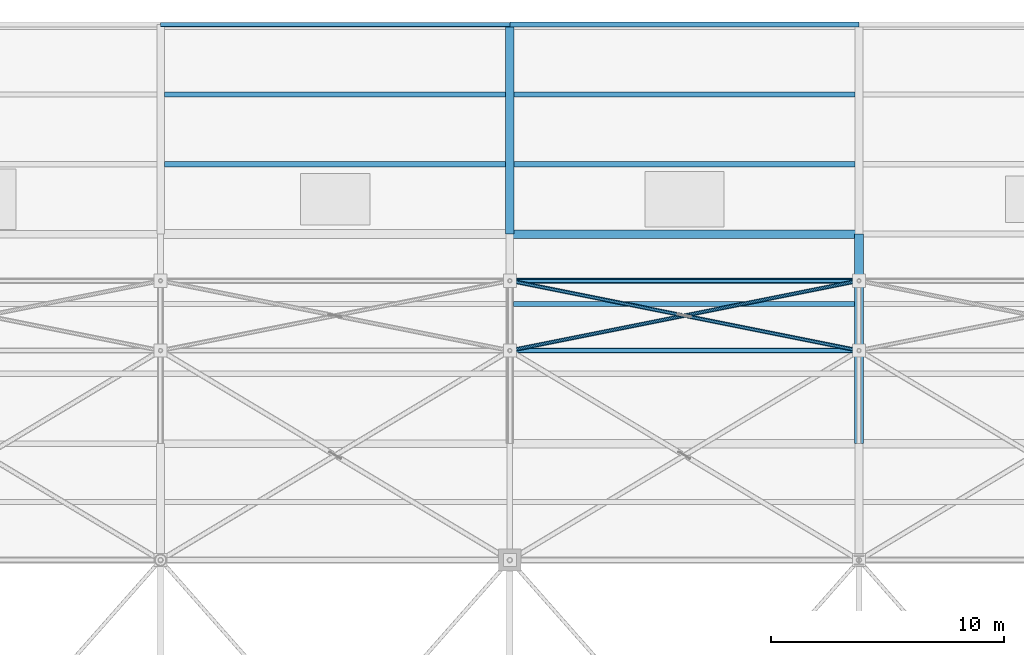
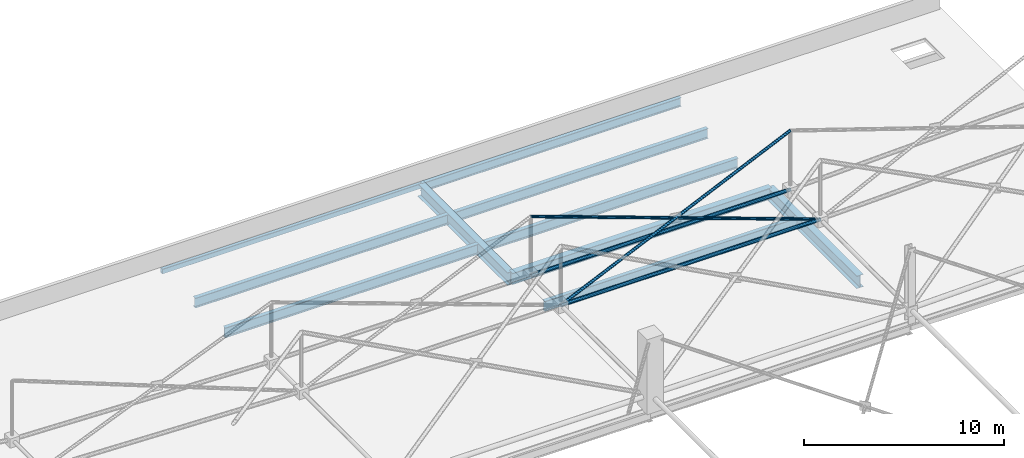
# One storey, part 115 of 224: 10 beams, 5 members.
"""IFC4 building model written with IfcOpenShell, lengths in metres."""

from ifc_helpers import new_model, si_unit, direction, frame, origin, origin_2d, place, context, subcontext, project, spatial, hollow_rectangle, hollow_circle, i_section, extrude, material, material_profile, profile_set, type_object, element, save


model = new_model("IFC4")

# Units and contexts
model_context = context("Model", 3, precision=1e-05, world=origin(), true_north=direction((0.0, 1.0)))
body_context = subcontext(model_context, "Body", "Model", "MODEL_VIEW")
ifc_project = project(units=[si_unit("LENGTHUNIT", "METRE"), si_unit("AREAUNIT", "SQUARE_METRE"), si_unit("VOLUMEUNIT", "CUBIC_METRE"), si_unit("PLANEANGLEUNIT", "RADIAN"), si_unit("MASSUNIT", "GRAM", prefix="KILO")], contexts=[model_context])

# Site, building, storey
site_placement = place(None, origin())
site = spatial("IfcSite", under=ifc_project, at=site_placement, CompositionType="ELEMENT")
building_placement = place(site_placement, origin())
building = spatial("IfcBuilding", under=site, at=building_placement, Name="Qamarlyn Nura Convention Centre", CompositionType="ELEMENT")
storey_placement = place(building_placement, frame((0.0, 0.0, 10.800048828125)))
storey = spatial("IfcBuildingStorey", under=building, at=storey_placement, Name="L02", CompositionType="ELEMENT", Elevation=10.800048828125)

# Beams
ifc_material_1 = material(Name="Steel ASTM A992", Category="steel")
ifc_material_profile_1 = material_profile(ifc_material_1, i_section(OverallWidth=0.35498046875, OverallDepth=0.695068359375, WebThickness=0.015380859375, FlangeThickness=0.02490234375, FilletRadius=0.01806640625, at=origin_2d()), Name="W690X217")
ifc_profile_set_1 = profile_set([ifc_material_profile_1], Name="Steel ASTM A992")
beam_type_1 = type_object("IfcBeamType", Name="BM-GIRD-690A", PredefinedType="BEAM", material=ifc_profile_set_1)
beam_1_placement = place(storey_placement, frame((60.0, 117.0, -0.54248046875), z_axis=(1.0, 0.0, 0.0), x_axis=(0.0, 1.0, 0.0)))
element("IfcBeam", 1, at=beam_1_placement, inside=storey, type_object=beam_type_1, Name="L02 girder P 5-6", PredefinedType="BEAM", context=body_context, shape_type="SweptSolid", body=[
    extrude(i_section(OverallWidth=0.35498046875, OverallDepth=0.695068359375, WebThickness=0.015380859375, FlangeThickness=0.02490234375, FilletRadius=0.01806640625, at=origin_2d()), origin(), (0.0, 0.0, 1.0), 15.0),
])
ifc_material_profile_2 = material_profile(ifc_material_1, i_section(OverallWidth=0.381103515625, OverallDepth=0.77294921875, WebThickness=0.0166015625, FlangeThickness=0.027587890625, FilletRadius=0.02001953125, at=origin_2d()), Name="W760X257")
ifc_profile_set_2 = profile_set([ifc_material_profile_2], Name="Steel ASTM A992")
beam_type_2 = type_object("IfcBeamType", Name="BM-GIRD-760", PredefinedType="BEAM", material=ifc_profile_set_2)
for number, where, z_axis, x_axis, name in (
    (2, (60.0, 117.0, -0.58154296875), (0.0, 1.0, 0.0), (-1.0, 0.0, 0.0), "L02 girder 5 P-Q"),
    (3, (75.0, 108.0, -0.58154296875), (0.0, 1.0, 0.0), (-1.0, 0.0, 0.0), "L02 girder 6 N-P"),
):
    element("IfcBeam", number, at=place(storey_placement, frame(where, z_axis=z_axis, x_axis=x_axis)), inside=storey, type_object=beam_type_2, Name=name, PredefinedType="BEAM", context=body_context, shape_type="SweptSolid", body=[
        extrude(i_section(OverallWidth=0.381103515625, OverallDepth=0.77294921875, WebThickness=0.0166015625, FlangeThickness=0.027587890625, FilletRadius=0.02001953125, at=origin_2d()), origin(), (0.0, 0.0, 1.0), 9.0),
    ])
ifc_material_profile_3 = material_profile(ifc_material_1, i_section(OverallWidth=0.22802734375, OverallDepth=0.60791015625, WebThickness=0.01123046875, FlangeThickness=0.017333984375, FilletRadius=0.01611328125, at=origin_2d()), Name="W610X113")
ifc_profile_set_3 = profile_set([ifc_material_profile_3], Name="Steel ASTM A992")
beam_type_3 = type_object("IfcBeamType", Name="BM-JOIST-610", PredefinedType="JOIST", material=ifc_profile_set_3)
for number, where, z_axis, x_axis, name in (
    (4, (45.162109375, 120.0, -0.4990234375), (1.0, 0.0, 0.0), (0.0, 1.0, 0.0), "L02 composite joist 4-5/P+1"),
    (5, (45.162109375, 123.0, -0.4990234375), (1.0, 0.0, 0.0), (0.0, 1.0, 0.0), "L02 composite joist 4-5/P+2"),
    (6, (60.162109375, 114.0, -0.4990234375), (1.0, 0.0, 0.0), (0.0, 1.0, 0.0), "L02 composite joist 5-6/N+2"),
):
    element("IfcBeam", number, at=place(storey_placement, frame(where, z_axis=z_axis, x_axis=x_axis)), inside=storey, type_object=beam_type_3, Name=name, PredefinedType="JOIST", context=body_context, shape_type="SweptSolid", body=[
        extrude(i_section(OverallWidth=0.22802734375, OverallDepth=0.60791015625, WebThickness=0.01123046875, FlangeThickness=0.017333984375, FilletRadius=0.01611328125, at=origin_2d()), origin(), (0.0, 0.0, 1.0), 14.6474609375),
    ])
for number, where, z_axis, x_axis, name in (
    (7, (60.1904296875, 120.0, -0.4990234375), (1.0, 0.0, 0.0), (0.0, 1.0, 0.0), "L02 composite joist 5-6/P+1"),
    (8, (60.1904296875, 123.0, -0.4990234375), (1.0, 0.0, 0.0), (0.0, 1.0, 0.0), "L02 composite joist 5-6/P+2"),
):
    element("IfcBeam", number, at=place(storey_placement, frame(where, z_axis=z_axis, x_axis=x_axis)), inside=storey, type_object=beam_type_3, Name=name, PredefinedType="JOIST", context=body_context, shape_type="SweptSolid", body=[
        extrude(i_section(OverallWidth=0.22802734375, OverallDepth=0.60791015625, WebThickness=0.01123046875, FlangeThickness=0.017333984375, FilletRadius=0.01611328125, at=origin_2d()), origin(), (0.0, 0.0, 1.0), 14.632080078125),
    ])
ifc_material_profile_4 = material_profile(ifc_material_1, i_section(OverallWidth=0.2109375, OverallDepth=0.5390625, WebThickness=0.01171875, FlangeThickness=0.018798828125, FilletRadius=0.013916015625, at=origin_2d()), Name="W530X109")
ifc_profile_set_4 = profile_set([ifc_material_profile_4], Name="Steel ASTM A992")
beam_type_4 = type_object("IfcBeamType", Name="BM-SPAN-530", PredefinedType="SPANDREL", material=ifc_profile_set_4)
beam_2_placement = place(storey_placement, frame((60.0, 126.0, -0.464599609375), z_axis=(1.0, 0.0, 0.0), x_axis=(0.0, 1.0, 0.0)))
element("IfcBeam", 9, at=beam_2_placement, inside=storey, type_object=beam_type_4, Name="L02 girder Q 5-6", PredefinedType="SPANDREL", context=body_context, shape_type="SweptSolid", body=[
    extrude(i_section(OverallWidth=0.2109375, OverallDepth=0.5390625, WebThickness=0.01171875, FlangeThickness=0.018798828125, FilletRadius=0.013916015625, at=origin_2d()), origin(), (0.0, 0.0, 1.0), 15.0),
])
ifc_material_2 = material(Name="Steel ASTM A500 Grade C", Category="steel")
ifc_material_profile_5 = material_profile(ifc_material_2, hollow_rectangle(XDim=0.199951171875, YDim=0.300048828125, WallThickness=0.012451171875, InnerFilletRadius=0.012451171875, OuterFilletRadius=0.02490234375, at=origin_2d()), Name="HSS300X200X12.5")
ifc_profile_set_5 = profile_set([ifc_material_profile_5], Name="Steel ASTM A500 Grade C")
beam_type_5 = type_object("IfcBeamType", Name="BM-SPAN-HSS", PredefinedType="SPANDREL", material=ifc_profile_set_5)
beam_3_placement = place(storey_placement, frame((45.0, 126.0, -0.344970703125), z_axis=(1.0, 0.0, 0.0), x_axis=(0.0, 1.0, 0.0)))
element("IfcBeam", 10, at=beam_3_placement, inside=storey, type_object=beam_type_5, Name="L02 girder Q 4-5", PredefinedType="SPANDREL", context=body_context, shape_type="SweptSolid", body=[
    extrude(hollow_rectangle(XDim=0.199951171875, YDim=0.300048828125, WallThickness=0.012451171875, InnerFilletRadius=0.012451171875, OuterFilletRadius=0.02490234375, at=origin_2d()), origin(), (0.0, 0.0, 1.0), 15.0),
])

# Members
ifc_material_3 = material(Name="Pearl-white PVDF steel ASTM A500 Grade C", Category="steel")
ifc_material_profile_6 = material_profile(ifc_material_3, hollow_circle(Radius=0.109619140625, WallThickness=0.010009765625, at=origin_2d()), Name="CHS219.1X10")
ifc_profile_set_6 = profile_set([ifc_material_profile_6], Name="Pearl-white PVDF steel ASTM A500 Grade C")
member_type_1 = type_object("IfcMemberType", Name="SF-BC-EAVE", PredefinedType="CHORD", material=ifc_profile_set_6)
for number, where, z_axis, x_axis, name in (
    (11, (60.0, 112.0, 0.800048828125), (1.0, 0.0, 0.0), (0.0, 1.0, 0.0), "ROOF TRUSS space frame bottom chord X6-8"),
    (12, (60.0, 115.0, 0.800048828125), (1.0, 0.0, 0.0), (0.0, 1.0, 0.0), "ROOF TRUSS space frame bottom chord X6-9"),
):
    element("IfcMember", number, at=place(storey_placement, frame(where, z_axis=z_axis, x_axis=x_axis)), inside=storey, type_object=member_type_1, Name=name, PredefinedType="CHORD", context=body_context, shape_type="SweptSolid", body=[
        extrude(hollow_circle(Radius=0.109619140625, WallThickness=0.010009765625, at=origin_2d()), origin(), (0.0, 0.0, 1.0), 15.0),
    ])
ifc_material_profile_7 = material_profile(ifc_material_3, hollow_circle(Radius=0.084228515625, WallThickness=0.008056640625, at=origin_2d()), Name="CHS168.3X8")
ifc_profile_set_7 = profile_set([ifc_material_profile_7], Name="Pearl-white PVDF steel ASTM A500 Grade C")
member_type_2 = type_object("IfcMemberType", Name="SF-WEB-STD", PredefinedType="BRACE", material=ifc_profile_set_7)
member_placement = place(storey_placement, frame((60.0, 112.0, 0.800048828125), z_axis=(0.954506473559, 0.190901294712, 0.229072232302), x_axis=(-0.196116135138, 0.980580675691, 0.0)))
element("IfcMember", 13, at=member_placement, inside=storey, type_object=member_type_2, Name="ROOF TRUSS space frame diagonal A 6-8", PredefinedType="BRACE", context=body_context, shape_type="SweptSolid", body=[
    extrude(hollow_circle(Radius=0.084228515625, WallThickness=0.008056640625, at=origin_2d()), origin(), (0.0, 0.0, 1.0), 15.71484375),
])
for number, where, z_axis, x_axis, name in (
    (14, (75.0, 112.0, 0.800048828125), (-0.954505726398, 0.190913799053, 0.229064924431), (-0.196128634557, -0.980578175724, 0.0), "ROOF TRUSS space frame split diagonal B1 6-8"),
    (15, (67.366455078125, 113.526611328125, 2.632080078125), (-0.954505726398, 0.190913799053, 0.229064924431), (-0.196128634557, -0.980578175724, 0.0), "ROOF TRUSS space frame split diagonal B2 6-8"),
):
    element("IfcMember", number, at=place(storey_placement, frame(where, z_axis=z_axis, x_axis=x_axis)), inside=storey, type_object=member_type_2, Name=name, PredefinedType="BRACE", context=body_context, shape_type="SweptSolid", body=[
        extrude(hollow_circle(Radius=0.084228515625, WallThickness=0.008056640625, at=origin_2d()), origin(), (0.0, 0.0, 1.0), 7.717529296875),
    ])

save(model, "model.ifc")
